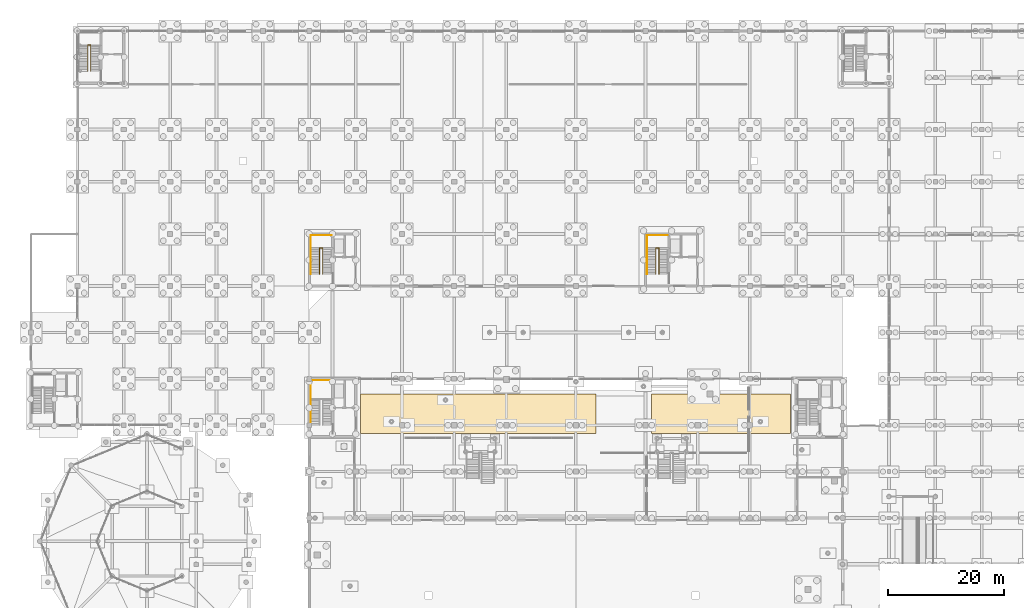
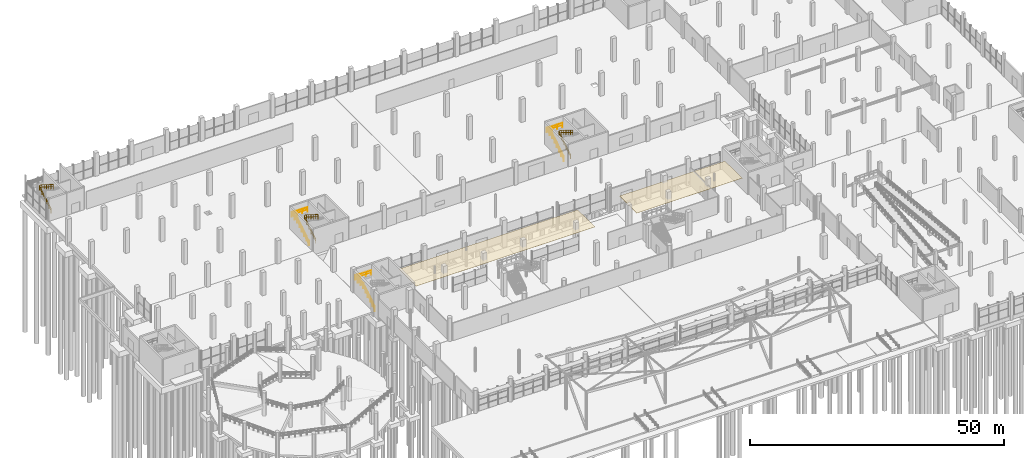
# One storey, part 92 of 98: 6 railings, 2 coverings.
"""IFC4 building model written with IfcOpenShell, lengths in metres."""

from ifc_helpers import new_model, si_unit, derived_unit, direction, frame, origin, origin_2d, place, context, subcontext, project, spatial, polyline, circle, outline, extrude, material, layer, layer_set, type_object, element, save


model = new_model("IFC4")

# Units and contexts
model_context = context("Model", 3, precision=1e-05, world=origin(), true_north=direction((0.0, 1.0)))
body_context = subcontext(model_context, "Body", "Model", "MODEL_VIEW")
ifc_project = project(units=[si_unit("LENGTHUNIT", "METRE"), si_unit("AREAUNIT", "SQUARE_METRE"), si_unit("VOLUMEUNIT", "CUBIC_METRE"), si_unit("PLANEANGLEUNIT", "RADIAN"), si_unit("MASSUNIT", "GRAM", prefix="KILO"), si_unit("THERMODYNAMICTEMPERATUREUNIT", "KELVIN"), derived_unit("THERMALTRANSMITTANCEUNIT", [(si_unit("POWERUNIT", "WATT"), 1), (si_unit("AREAUNIT", "SQUARE_METRE"), -1), (si_unit("THERMODYNAMICTEMPERATUREUNIT", "KELVIN"), -1)])], contexts=[model_context])

# Site, building, storey
site_placement = place(None, origin())
site = spatial("IfcSite", under=ifc_project, at=site_placement, CompositionType="ELEMENT")
building_placement = place(site_placement, origin())
building = spatial("IfcBuilding", under=site, at=building_placement, Name="Haiyu Intermodal Mobility Hub", CompositionType="ELEMENT")
storey_placement = place(building_placement, origin())
storey = spatial("IfcBuildingStorey", under=building, at=storey_placement, Name="L00", CompositionType="ELEMENT", Elevation=0.0)

# Coverings
ifc_material_1 = material(Name="Champagne perforated aluminium 6063-T6", Category="aluminium")
ifc_layer_1 = layer(ifc_material_1, 0.139892578125)
ifc_layer_set_1 = layer_set([ifc_layer_1], Name="Champagne perforated aluminium 6063-T6")
covering_type_1 = type_object("IfcCoveringType", Name="COV-CV01", PredefinedType="CLADDING", material=ifc_layer_set_1)
covering_1_placement = place(storey_placement, frame((0.0, 0.0, 3.800048828125)))
element("IfcCovering", 1, at=covering_1_placement, inside=storey, type_object=covering_type_1, Name="COV-CEIL-001", PredefinedType="CLADDING", context=body_context, shape_type="SweptSolid", body=[
    extrude(outline(polyline([(70.800048828125, 78.60009765625), (111.5, 78.60009765625), (111.5, 85.39990234375), (70.800048828125, 85.39990234375), (70.800048828125, 78.60009765625)])), origin(), (0.0, 0.0, 1.0), 0.044921875),
])
ifc_material_2 = material(Name="Acoustic perforated mineral and aluminium baffle", Category="aluminium")
ifc_layer_2 = layer(ifc_material_2, 0.0400390625)
ifc_layer_set_2 = layer_set([ifc_layer_2], Name="Acoustic perforated mineral and aluminium baffle")
covering_type_2 = type_object("IfcCoveringType", Name="COV-CV06", PredefinedType="CEILING", material=ifc_layer_set_2)
covering_2_placement = place(storey_placement, frame((0.0, 0.0, 3.800048828125)))
element("IfcCovering", 2, at=covering_2_placement, inside=storey, type_object=covering_type_2, Name="COV-CEIL-002", PredefinedType="CEILING", context=body_context, shape_type="SweptSolid", body=[
    extrude(outline(polyline([(121.0, 78.60009765625), (145.0, 78.60009765625), (145.0, 85.39990234375), (121.0, 85.39990234375), (121.0, 78.60009765625)])), origin(), (0.0, 0.0, 1.0), 0.044921875),
])

# Railings
ifc_material_3 = material(Name="Steel Q355C", Category="steel")
railing_type = type_object("IfcRailingType", Name="RAL-GR03", PredefinedType="GUARDRAIL", material=ifc_material_3)
railing_1_placement = place(storey_placement, frame((62.25, 80.050048828125, 0.0)))
element("IfcRailing", 3, at=railing_1_placement, inside=storey, type_object=railing_type, Name="Stair Outer Guard STR-C1-L00", PredefinedType="GUARDRAIL", context=body_context, shape_type="SweptSolid", body=[
    extrude(circle(Radius=0.02392578125, at=origin_2d()), frame((0.0, 0.025390625, 1.112060546875), z_axis=(0.0, 0.847993111587, 0.530007247782), x_axis=(-1.0, 0.0, 0.0)), (0.0, 0.0, 1.0), 5.22314453125),
    extrude(circle(Radius=0.02392578125, at=origin_2d()), frame((0.0, 0.03173828125, 0.579833984375), z_axis=(0.0, 0.847993111587, 0.530007247782), x_axis=(-1.0, 0.0, 0.0)), (0.0, 0.0, 1.0), 0.98193359375),
    extrude(circle(Radius=0.02392578125, at=origin_2d()), frame((0.0, 0.927734375, 1.139892578125), z_axis=(0.0, 0.847993111587, 0.530007247782), x_axis=(-1.0, 0.0, 0.0)), (0.0, 0.0, 1.0), 0.98193359375),
    extrude(circle(Radius=0.02392578125, at=origin_2d()), frame((0.0, 1.82373046875, 1.699951171875), z_axis=(0.0, 0.847993111587, 0.530007247782), x_axis=(-1.0, 0.0, 0.0)), (0.0, 0.0, 1.0), 0.98193359375),
    extrude(circle(Radius=0.02392578125, at=origin_2d()), frame((0.0, 2.7197265625, 2.259765625), z_axis=(0.0, 0.847993111587, 0.530007247782), x_axis=(-1.0, 0.0, 0.0)), (0.0, 0.0, 1.0), 0.98193359375),
    extrude(circle(Radius=0.02392578125, at=origin_2d()), frame((0.0, 3.61572265625, 2.81982421875), z_axis=(0.0, 0.847993111587, 0.530007247782), x_axis=(-1.0, 0.0, 0.0)), (0.0, 0.0, 1.0), 0.98193359375),
    extrude(circle(Radius=0.02392578125, at=origin_2d()), frame((0.0, 4.510009765625, 3.89599609375), z_axis=(0.0, 1.0, 0.0), x_axis=(-1.0, 0.0, 0.0)), (0.0, 0.0, 1.0), 3.169921875),
    extrude(circle(Radius=0.02392578125, at=origin_2d()), frame((0.0, 4.517333984375, 3.360107421875), z_axis=(0.0, 1.0, 0.0), x_axis=(-1.0, 0.0, 0.0)), (0.0, 0.0, 1.0), 1.001953125),
    extrude(circle(Radius=0.02392578125, at=origin_2d()), frame((0.0, 5.593994140625, 3.360107421875), z_axis=(0.0, 1.0, 0.0), x_axis=(-1.0, 0.0, 0.0)), (0.0, 0.0, 1.0), 1.001953125),
    extrude(circle(Radius=0.02392578125, at=origin_2d()), frame((0.0, 6.670654296875, 3.360107421875), z_axis=(0.0, 1.0, 0.0), x_axis=(-1.0, 0.0, 0.0)), (0.0, 0.0, 1.0), 1.001953125),
    extrude(circle(Radius=0.02392578125, at=origin_2d()), frame((0.030029296875, 7.7099609375, 3.89599609375), z_axis=(1.0, 0.0, 0.0), x_axis=(0.0, 1.0, 0.0)), (0.0, 0.0, 1.0), 3.52001953125),
    extrude(circle(Radius=0.02392578125, at=origin_2d()), frame((0.037353515625, 7.7099609375, 3.360107421875), z_axis=(1.0, 0.0, 0.0), x_axis=(0.0, 1.0, 0.0)), (0.0, 0.0, 1.0), 1.11865234375),
    extrude(circle(Radius=0.02392578125, at=origin_2d()), frame((1.230712890625, 7.7099609375, 3.360107421875), z_axis=(1.0, 0.0, 0.0), x_axis=(0.0, 1.0, 0.0)), (0.0, 0.0, 1.0), 1.11865234375),
    extrude(circle(Radius=0.02392578125, at=origin_2d()), frame((2.424072265625, 7.7099609375, 3.360107421875), z_axis=(1.0, 0.0, 0.0), x_axis=(0.0, 1.0, 0.0)), (0.0, 0.0, 1.0), 1.11865234375),
    extrude(circle(Radius=0.02099609375, at=origin_2d()), origin(), (0.0, 0.0, 1.0), 1.06396484375),
    extrude(circle(Radius=0.02099609375, at=origin_2d()), frame((0.0, 0.89599609375, 0.56005859375)), (0.0, 0.0, 1.0), 1.06396484375),
    extrude(circle(Radius=0.02099609375, at=origin_2d()), frame((0.0, 1.7919921875, 1.1201171875)), (0.0, 0.0, 1.0), 1.06396484375),
    extrude(circle(Radius=0.02099609375, at=origin_2d()), frame((0.0, 2.68798828125, 1.679931640625)), (0.0, 0.0, 1.0), 1.06396484375),
    extrude(circle(Radius=0.02099609375, at=origin_2d()), frame((0.0, 3.583984375, 2.239990234375)), (0.0, 0.0, 1.0), 1.06396484375),
    extrude(circle(Radius=0.02099609375, at=origin_2d()), frame((0.0, 4.47998046875, 2.800048828125)), (0.0, 0.0, 1.0), 1.06396484375),
    extrude(circle(Radius=0.02099609375, at=origin_2d()), frame((0.0, 5.556640625, 2.800048828125)), (0.0, 0.0, 1.0), 1.06396484375),
    extrude(circle(Radius=0.02099609375, at=origin_2d()), frame((0.0, 6.63330078125, 2.800048828125)), (0.0, 0.0, 1.0), 1.06396484375),
    extrude(circle(Radius=0.02099609375, at=origin_2d()), frame((0.0, 7.7099609375, 2.800048828125)), (0.0, 0.0, 1.0), 1.06396484375),
    extrude(circle(Radius=0.02099609375, at=origin_2d()), frame((1.193359375, 7.7099609375, 2.800048828125)), (0.0, 0.0, 1.0), 1.06396484375),
    extrude(circle(Radius=0.02099609375, at=origin_2d()), frame((2.38671875, 7.7099609375, 2.800048828125)), (0.0, 0.0, 1.0), 1.06396484375),
    extrude(circle(Radius=0.02099609375, at=origin_2d()), frame((3.580078125, 7.7099609375, 2.800048828125)), (0.0, 0.0, 1.0), 1.06396484375),
])
railing_2_placement = place(storey_placement, frame((23.780029296875, 141.050048828125, 0.0)))
element("IfcRailing", 4, at=railing_2_placement, inside=storey, type_object=railing_type, Name="Stair Well Guard STR-C3-L00", PredefinedType="GUARDRAIL", context=body_context, shape_type="SweptSolid", body=[
    extrude(circle(Radius=0.02392578125, at=origin_2d()), frame((0.0, 0.025634765625, 1.11181640625), z_axis=(0.0, 0.850622528264, 0.525776867511), x_axis=(-1.0, 0.0, 0.0)), (0.0, 0.0, 1.0), 5.265625),
    extrude(circle(Radius=0.02392578125, at=origin_2d()), frame((0.0, 0.03173828125, 0.57958984375), z_axis=(0.0, 0.850622528264, 0.525776867511), x_axis=(-1.0, 0.0, 0.0)), (0.0, 0.0, 1.0), 0.990478515625),
    extrude(circle(Radius=0.02392578125, at=origin_2d()), frame((0.0, 0.937744140625, 1.1396484375), z_axis=(0.0, 0.850622528264, 0.525776867511), x_axis=(-1.0, 0.0, 0.0)), (0.0, 0.0, 1.0), 0.990478515625),
    extrude(circle(Radius=0.02392578125, at=origin_2d()), frame((0.0, 1.84375, 1.69970703125), z_axis=(0.0, 0.850622528264, 0.525776867511), x_axis=(-1.0, 0.0, 0.0)), (0.0, 0.0, 1.0), 0.990478515625),
    extrude(circle(Radius=0.02392578125, at=origin_2d()), frame((0.0, 2.749755859375, 2.259765625), z_axis=(0.0, 0.850622528264, 0.525776867511), x_axis=(-1.0, 0.0, 0.0)), (0.0, 0.0, 1.0), 0.990478515625),
    extrude(circle(Radius=0.02392578125, at=origin_2d()), frame((0.0, 3.65576171875, 2.81982421875), z_axis=(0.0, 0.850622528264, 0.525776867511), x_axis=(-1.0, 0.0, 0.0)), (0.0, 0.0, 1.0), 0.990478515625),
    extrude(circle(Radius=0.02392578125, at=origin_2d()), frame((0.030029296875, 4.530029296875, 3.89599609375), z_axis=(1.0, 0.0, 0.0), x_axis=(0.0, 1.0, 0.0)), (0.0, 0.0, 1.0), 0.469970703125),
    extrude(circle(Radius=0.02392578125, at=origin_2d()), frame((0.037353515625, 4.530029296875, 3.360107421875), z_axis=(1.0, 0.0, 0.0), x_axis=(0.0, 1.0, 0.0)), (0.0, 0.0, 1.0), 0.455322265625),
    extrude(circle(Radius=0.02392578125, at=origin_2d()), frame((0.530029296875, 4.50439453125, 3.911865234375), z_axis=(0.0, -0.850622528264, 0.525776867511), x_axis=(1.0, 0.0, 0.0)), (0.0, 0.0, 1.0), 5.265625),
    extrude(circle(Radius=0.02392578125, at=origin_2d()), frame((0.530029296875, 4.498291015625, 3.379638671875), z_axis=(0.0, -0.850622528264, 0.525776867511), x_axis=(1.0, 0.0, 0.0)), (0.0, 0.0, 1.0), 0.990478515625),
    extrude(circle(Radius=0.02392578125, at=origin_2d()), frame((0.530029296875, 3.59228515625, 3.939697265625), z_axis=(0.0, -0.850622528264, 0.525776867511), x_axis=(1.0, 0.0, 0.0)), (0.0, 0.0, 1.0), 0.990478515625),
    extrude(circle(Radius=0.02392578125, at=origin_2d()), frame((0.530029296875, 2.686279296875, 4.499755859375), z_axis=(0.0, -0.850622528264, 0.525776867511), x_axis=(1.0, 0.0, 0.0)), (0.0, 0.0, 1.0), 0.990478515625),
    extrude(circle(Radius=0.02392578125, at=origin_2d()), frame((0.530029296875, 1.7802734375, 5.059814453125), z_axis=(0.0, -0.850622528264, 0.525776867511), x_axis=(1.0, 0.0, 0.0)), (0.0, 0.0, 1.0), 0.990478515625),
    extrude(circle(Radius=0.02392578125, at=origin_2d()), frame((0.530029296875, 0.874267578125, 5.619873046875), z_axis=(0.0, -0.850622528264, 0.525776867511), x_axis=(1.0, 0.0, 0.0)), (0.0, 0.0, 1.0), 0.990478515625),
    extrude(circle(Radius=0.02099609375, at=origin_2d()), origin(), (0.0, 0.0, 1.0), 1.06396484375),
    extrude(circle(Radius=0.02099609375, at=origin_2d()), frame((0.0, 0.906005859375, 0.56005859375)), (0.0, 0.0, 1.0), 1.06396484375),
    extrude(circle(Radius=0.02099609375, at=origin_2d()), frame((0.0, 1.81201171875, 1.1201171875)), (0.0, 0.0, 1.0), 1.06396484375),
    extrude(circle(Radius=0.02099609375, at=origin_2d()), frame((0.0, 2.718017578125, 1.679931640625)), (0.0, 0.0, 1.0), 1.06396484375),
    extrude(circle(Radius=0.02099609375, at=origin_2d()), frame((0.0, 3.6240234375, 2.239990234375)), (0.0, 0.0, 1.0), 1.06396484375),
    extrude(circle(Radius=0.02099609375, at=origin_2d()), frame((0.0, 4.530029296875, 2.800048828125)), (0.0, 0.0, 1.0), 1.06396484375),
    extrude(circle(Radius=0.02099609375, at=origin_2d()), frame((0.530029296875, 4.530029296875, 2.800048828125)), (0.0, 0.0, 1.0), 1.06396484375),
    extrude(circle(Radius=0.02099609375, at=origin_2d()), frame((0.530029296875, 3.6240234375, 3.360107421875)), (0.0, 0.0, 1.0), 1.06396484375),
    extrude(circle(Radius=0.02099609375, at=origin_2d()), frame((0.530029296875, 2.718017578125, 3.920166015625)), (0.0, 0.0, 1.0), 1.06396484375),
    extrude(circle(Radius=0.02099609375, at=origin_2d()), frame((0.530029296875, 1.81201171875, 4.47998046875)), (0.0, 0.0, 1.0), 1.06396484375),
    extrude(circle(Radius=0.02099609375, at=origin_2d()), frame((0.530029296875, 0.906005859375, 5.0400390625)), (0.0, 0.0, 1.0), 1.06396484375),
    extrude(circle(Radius=0.02099609375, at=origin_2d()), frame((0.530029296875, 0.0, 5.60009765625)), (0.0, 0.0, 1.0), 1.06396484375),
])
railing_3_placement = place(storey_placement, frame((63.780029296875, 106.050048828125, 0.0)))
element("IfcRailing", 5, at=railing_3_placement, inside=storey, type_object=railing_type, Name="Stair Well Guard STR-C5-L00", PredefinedType="GUARDRAIL", context=body_context, shape_type="SweptSolid", body=[
    extrude(circle(Radius=0.02392578125, at=origin_2d()), frame((0.0, 0.025634765625, 1.11181640625), z_axis=(0.0, 0.850622528264, 0.525776867511), x_axis=(-1.0, 0.0, 0.0)), (0.0, 0.0, 1.0), 5.265625),
    extrude(circle(Radius=0.02392578125, at=origin_2d()), frame((0.0, 0.03173828125, 0.57958984375), z_axis=(0.0, 0.850622528264, 0.525776867511), x_axis=(-1.0, 0.0, 0.0)), (0.0, 0.0, 1.0), 0.990478515625),
    extrude(circle(Radius=0.02392578125, at=origin_2d()), frame((0.0, 0.937744140625, 1.1396484375), z_axis=(0.0, 0.850622528264, 0.525776867511), x_axis=(-1.0, 0.0, 0.0)), (0.0, 0.0, 1.0), 0.990478515625),
    extrude(circle(Radius=0.02392578125, at=origin_2d()), frame((0.0, 1.84375, 1.69970703125), z_axis=(0.0, 0.850622528264, 0.525776867511), x_axis=(-1.0, 0.0, 0.0)), (0.0, 0.0, 1.0), 0.990478515625),
    extrude(circle(Radius=0.02392578125, at=origin_2d()), frame((0.0, 2.749755859375, 2.259765625), z_axis=(0.0, 0.850622528264, 0.525776867511), x_axis=(-1.0, 0.0, 0.0)), (0.0, 0.0, 1.0), 0.990478515625),
    extrude(circle(Radius=0.02392578125, at=origin_2d()), frame((0.0, 3.65576171875, 2.81982421875), z_axis=(0.0, 0.850622528264, 0.525776867511), x_axis=(-1.0, 0.0, 0.0)), (0.0, 0.0, 1.0), 0.990478515625),
    extrude(circle(Radius=0.02392578125, at=origin_2d()), frame((0.030029296875, 4.530029296875, 3.89599609375), z_axis=(1.0, 0.0, 0.0), x_axis=(0.0, 1.0, 0.0)), (0.0, 0.0, 1.0), 0.469970703125),
    extrude(circle(Radius=0.02392578125, at=origin_2d()), frame((0.037353515625, 4.530029296875, 3.360107421875), z_axis=(1.0, 0.0, 0.0), x_axis=(0.0, 1.0, 0.0)), (0.0, 0.0, 1.0), 0.455322265625),
    extrude(circle(Radius=0.02392578125, at=origin_2d()), frame((0.530029296875, 4.50439453125, 3.911865234375), z_axis=(0.0, -0.850622528264, 0.525776867511), x_axis=(1.0, 0.0, 0.0)), (0.0, 0.0, 1.0), 5.265625),
    extrude(circle(Radius=0.02392578125, at=origin_2d()), frame((0.530029296875, 4.498291015625, 3.379638671875), z_axis=(0.0, -0.850622528264, 0.525776867511), x_axis=(1.0, 0.0, 0.0)), (0.0, 0.0, 1.0), 0.990478515625),
    extrude(circle(Radius=0.02392578125, at=origin_2d()), frame((0.530029296875, 3.59228515625, 3.939697265625), z_axis=(0.0, -0.850622528264, 0.525776867511), x_axis=(1.0, 0.0, 0.0)), (0.0, 0.0, 1.0), 0.990478515625),
    extrude(circle(Radius=0.02392578125, at=origin_2d()), frame((0.530029296875, 2.686279296875, 4.499755859375), z_axis=(0.0, -0.850622528264, 0.525776867511), x_axis=(1.0, 0.0, 0.0)), (0.0, 0.0, 1.0), 0.990478515625),
    extrude(circle(Radius=0.02392578125, at=origin_2d()), frame((0.530029296875, 1.7802734375, 5.059814453125), z_axis=(0.0, -0.850622528264, 0.525776867511), x_axis=(1.0, 0.0, 0.0)), (0.0, 0.0, 1.0), 0.990478515625),
    extrude(circle(Radius=0.02392578125, at=origin_2d()), frame((0.530029296875, 0.874267578125, 5.619873046875), z_axis=(0.0, -0.850622528264, 0.525776867511), x_axis=(1.0, 0.0, 0.0)), (0.0, 0.0, 1.0), 0.990478515625),
    extrude(circle(Radius=0.02099609375, at=origin_2d()), origin(), (0.0, 0.0, 1.0), 1.06396484375),
    extrude(circle(Radius=0.02099609375, at=origin_2d()), frame((0.0, 0.906005859375, 0.56005859375)), (0.0, 0.0, 1.0), 1.06396484375),
    extrude(circle(Radius=0.02099609375, at=origin_2d()), frame((0.0, 1.81201171875, 1.1201171875)), (0.0, 0.0, 1.0), 1.06396484375),
    extrude(circle(Radius=0.02099609375, at=origin_2d()), frame((0.0, 2.718017578125, 1.679931640625)), (0.0, 0.0, 1.0), 1.06396484375),
    extrude(circle(Radius=0.02099609375, at=origin_2d()), frame((0.0, 3.6240234375, 2.239990234375)), (0.0, 0.0, 1.0), 1.06396484375),
    extrude(circle(Radius=0.02099609375, at=origin_2d()), frame((0.0, 4.530029296875, 2.800048828125)), (0.0, 0.0, 1.0), 1.06396484375),
    extrude(circle(Radius=0.02099609375, at=origin_2d()), frame((0.530029296875, 4.530029296875, 2.800048828125)), (0.0, 0.0, 1.0), 1.06396484375),
    extrude(circle(Radius=0.02099609375, at=origin_2d()), frame((0.530029296875, 3.6240234375, 3.360107421875)), (0.0, 0.0, 1.0), 1.06396484375),
    extrude(circle(Radius=0.02099609375, at=origin_2d()), frame((0.530029296875, 2.718017578125, 3.920166015625)), (0.0, 0.0, 1.0), 1.06396484375),
    extrude(circle(Radius=0.02099609375, at=origin_2d()), frame((0.530029296875, 1.81201171875, 4.47998046875)), (0.0, 0.0, 1.0), 1.06396484375),
    extrude(circle(Radius=0.02099609375, at=origin_2d()), frame((0.530029296875, 0.906005859375, 5.0400390625)), (0.0, 0.0, 1.0), 1.06396484375),
    extrude(circle(Radius=0.02099609375, at=origin_2d()), frame((0.530029296875, 0.0, 5.60009765625)), (0.0, 0.0, 1.0), 1.06396484375),
])
railing_4_placement = place(storey_placement, frame((62.25, 106.050048828125, 0.0)))
element("IfcRailing", 6, at=railing_4_placement, inside=storey, type_object=railing_type, Name="Stair Outer Guard STR-C5-L00", PredefinedType="GUARDRAIL", context=body_context, shape_type="SweptSolid", body=[
    extrude(circle(Radius=0.02392578125, at=origin_2d()), frame((0.0, 0.025390625, 1.112060546875), z_axis=(0.0, 0.847993111587, 0.530007247782), x_axis=(-1.0, 0.0, 0.0)), (0.0, 0.0, 1.0), 5.22314453125),
    extrude(circle(Radius=0.02392578125, at=origin_2d()), frame((0.0, 0.03173828125, 0.579833984375), z_axis=(0.0, 0.847993111587, 0.530007247782), x_axis=(-1.0, 0.0, 0.0)), (0.0, 0.0, 1.0), 0.98193359375),
    extrude(circle(Radius=0.02392578125, at=origin_2d()), frame((0.0, 0.927734375, 1.139892578125), z_axis=(0.0, 0.847993111587, 0.530007247782), x_axis=(-1.0, 0.0, 0.0)), (0.0, 0.0, 1.0), 0.98193359375),
    extrude(circle(Radius=0.02392578125, at=origin_2d()), frame((0.0, 1.82373046875, 1.699951171875), z_axis=(0.0, 0.847993111587, 0.530007247782), x_axis=(-1.0, 0.0, 0.0)), (0.0, 0.0, 1.0), 0.98193359375),
    extrude(circle(Radius=0.02392578125, at=origin_2d()), frame((0.0, 2.7197265625, 2.259765625), z_axis=(0.0, 0.847993111587, 0.530007247782), x_axis=(-1.0, 0.0, 0.0)), (0.0, 0.0, 1.0), 0.98193359375),
    extrude(circle(Radius=0.02392578125, at=origin_2d()), frame((0.0, 3.61572265625, 2.81982421875), z_axis=(0.0, 0.847993111587, 0.530007247782), x_axis=(-1.0, 0.0, 0.0)), (0.0, 0.0, 1.0), 0.98193359375),
    extrude(circle(Radius=0.02392578125, at=origin_2d()), frame((0.0, 4.510009765625, 3.89599609375), z_axis=(0.0, 1.0, 0.0), x_axis=(-1.0, 0.0, 0.0)), (0.0, 0.0, 1.0), 2.169921875),
    extrude(circle(Radius=0.02392578125, at=origin_2d()), frame((0.0, 4.517333984375, 3.360107421875), z_axis=(0.0, 1.0, 0.0), x_axis=(-1.0, 0.0, 0.0)), (0.0, 0.0, 1.0), 1.040283203125),
    extrude(circle(Radius=0.02392578125, at=origin_2d()), frame((0.0, 5.63232421875, 3.360107421875), z_axis=(0.0, 1.0, 0.0), x_axis=(-1.0, 0.0, 0.0)), (0.0, 0.0, 1.0), 1.040283203125),
    extrude(circle(Radius=0.02392578125, at=origin_2d()), frame((0.030029296875, 6.7099609375, 3.89599609375), z_axis=(1.0, 0.0, 0.0), x_axis=(0.0, 1.0, 0.0)), (0.0, 0.0, 1.0), 3.52001953125),
    extrude(circle(Radius=0.02392578125, at=origin_2d()), frame((0.037353515625, 6.7099609375, 3.360107421875), z_axis=(1.0, 0.0, 0.0), x_axis=(0.0, 1.0, 0.0)), (0.0, 0.0, 1.0), 1.11865234375),
    extrude(circle(Radius=0.02392578125, at=origin_2d()), frame((1.230712890625, 6.7099609375, 3.360107421875), z_axis=(1.0, 0.0, 0.0), x_axis=(0.0, 1.0, 0.0)), (0.0, 0.0, 1.0), 1.11865234375),
    extrude(circle(Radius=0.02392578125, at=origin_2d()), frame((2.424072265625, 6.7099609375, 3.360107421875), z_axis=(1.0, 0.0, 0.0), x_axis=(0.0, 1.0, 0.0)), (0.0, 0.0, 1.0), 1.11865234375),
    extrude(circle(Radius=0.02099609375, at=origin_2d()), origin(), (0.0, 0.0, 1.0), 1.06396484375),
    extrude(circle(Radius=0.02099609375, at=origin_2d()), frame((0.0, 0.89599609375, 0.56005859375)), (0.0, 0.0, 1.0), 1.06396484375),
    extrude(circle(Radius=0.02099609375, at=origin_2d()), frame((0.0, 1.7919921875, 1.1201171875)), (0.0, 0.0, 1.0), 1.06396484375),
    extrude(circle(Radius=0.02099609375, at=origin_2d()), frame((0.0, 2.68798828125, 1.679931640625)), (0.0, 0.0, 1.0), 1.06396484375),
    extrude(circle(Radius=0.02099609375, at=origin_2d()), frame((0.0, 3.583984375, 2.239990234375)), (0.0, 0.0, 1.0), 1.06396484375),
    extrude(circle(Radius=0.02099609375, at=origin_2d()), frame((0.0, 4.47998046875, 2.800048828125)), (0.0, 0.0, 1.0), 1.06396484375),
    extrude(circle(Radius=0.02099609375, at=origin_2d()), frame((0.0, 5.594970703125, 2.800048828125)), (0.0, 0.0, 1.0), 1.06396484375),
    extrude(circle(Radius=0.02099609375, at=origin_2d()), frame((0.0, 6.7099609375, 2.800048828125)), (0.0, 0.0, 1.0), 1.06396484375),
    extrude(circle(Radius=0.02099609375, at=origin_2d()), frame((1.193359375, 6.7099609375, 2.800048828125)), (0.0, 0.0, 1.0), 1.06396484375),
    extrude(circle(Radius=0.02099609375, at=origin_2d()), frame((2.38671875, 6.7099609375, 2.800048828125)), (0.0, 0.0, 1.0), 1.06396484375),
    extrude(circle(Radius=0.02099609375, at=origin_2d()), frame((3.580078125, 6.7099609375, 2.800048828125)), (0.0, 0.0, 1.0), 1.06396484375),
])
railing_5_placement = place(storey_placement, frame((121.780029296875, 106.050048828125, 0.0)))
element("IfcRailing", 7, at=railing_5_placement, inside=storey, type_object=railing_type, Name="Stair Well Guard STR-C6-L00", PredefinedType="GUARDRAIL", context=body_context, shape_type="SweptSolid", body=[
    extrude(circle(Radius=0.02392578125, at=origin_2d()), frame((0.0, 0.025634765625, 1.11181640625), z_axis=(0.0, 0.850622528264, 0.525776867511), x_axis=(-1.0, 0.0, 0.0)), (0.0, 0.0, 1.0), 5.265625),
    extrude(circle(Radius=0.02392578125, at=origin_2d()), frame((0.0, 0.03173828125, 0.57958984375), z_axis=(0.0, 0.850622528264, 0.525776867511), x_axis=(-1.0, 0.0, 0.0)), (0.0, 0.0, 1.0), 0.990478515625),
    extrude(circle(Radius=0.02392578125, at=origin_2d()), frame((0.0, 0.937744140625, 1.1396484375), z_axis=(0.0, 0.850622528264, 0.525776867511), x_axis=(-1.0, 0.0, 0.0)), (0.0, 0.0, 1.0), 0.990478515625),
    extrude(circle(Radius=0.02392578125, at=origin_2d()), frame((0.0, 1.84375, 1.69970703125), z_axis=(0.0, 0.850622528264, 0.525776867511), x_axis=(-1.0, 0.0, 0.0)), (0.0, 0.0, 1.0), 0.990478515625),
    extrude(circle(Radius=0.02392578125, at=origin_2d()), frame((0.0, 2.749755859375, 2.259765625), z_axis=(0.0, 0.850622528264, 0.525776867511), x_axis=(-1.0, 0.0, 0.0)), (0.0, 0.0, 1.0), 0.990478515625),
    extrude(circle(Radius=0.02392578125, at=origin_2d()), frame((0.0, 3.65576171875, 2.81982421875), z_axis=(0.0, 0.850622528264, 0.525776867511), x_axis=(-1.0, 0.0, 0.0)), (0.0, 0.0, 1.0), 0.990478515625),
    extrude(circle(Radius=0.02392578125, at=origin_2d()), frame((0.030029296875, 4.530029296875, 3.89599609375), z_axis=(1.0, 0.0, 0.0), x_axis=(0.0, 1.0, 0.0)), (0.0, 0.0, 1.0), 0.469970703125),
    extrude(circle(Radius=0.02392578125, at=origin_2d()), frame((0.037353515625, 4.530029296875, 3.360107421875), z_axis=(1.0, 0.0, 0.0), x_axis=(0.0, 1.0, 0.0)), (0.0, 0.0, 1.0), 0.455322265625),
    extrude(circle(Radius=0.02392578125, at=origin_2d()), frame((0.530029296875, 4.50439453125, 3.911865234375), z_axis=(0.0, -0.850622528264, 0.525776867511), x_axis=(1.0, 0.0, 0.0)), (0.0, 0.0, 1.0), 5.265625),
    extrude(circle(Radius=0.02392578125, at=origin_2d()), frame((0.530029296875, 4.498291015625, 3.379638671875), z_axis=(0.0, -0.850622528264, 0.525776867511), x_axis=(1.0, 0.0, 0.0)), (0.0, 0.0, 1.0), 0.990478515625),
    extrude(circle(Radius=0.02392578125, at=origin_2d()), frame((0.530029296875, 3.59228515625, 3.939697265625), z_axis=(0.0, -0.850622528264, 0.525776867511), x_axis=(1.0, 0.0, 0.0)), (0.0, 0.0, 1.0), 0.990478515625),
    extrude(circle(Radius=0.02392578125, at=origin_2d()), frame((0.530029296875, 2.686279296875, 4.499755859375), z_axis=(0.0, -0.850622528264, 0.525776867511), x_axis=(1.0, 0.0, 0.0)), (0.0, 0.0, 1.0), 0.990478515625),
    extrude(circle(Radius=0.02392578125, at=origin_2d()), frame((0.530029296875, 1.7802734375, 5.059814453125), z_axis=(0.0, -0.850622528264, 0.525776867511), x_axis=(1.0, 0.0, 0.0)), (0.0, 0.0, 1.0), 0.990478515625),
    extrude(circle(Radius=0.02392578125, at=origin_2d()), frame((0.530029296875, 0.874267578125, 5.619873046875), z_axis=(0.0, -0.850622528264, 0.525776867511), x_axis=(1.0, 0.0, 0.0)), (0.0, 0.0, 1.0), 0.990478515625),
    extrude(circle(Radius=0.02099609375, at=origin_2d()), origin(), (0.0, 0.0, 1.0), 1.06396484375),
    extrude(circle(Radius=0.02099609375, at=origin_2d()), frame((0.0, 0.906005859375, 0.56005859375)), (0.0, 0.0, 1.0), 1.06396484375),
    extrude(circle(Radius=0.02099609375, at=origin_2d()), frame((0.0, 1.81201171875, 1.1201171875)), (0.0, 0.0, 1.0), 1.06396484375),
    extrude(circle(Radius=0.02099609375, at=origin_2d()), frame((0.0, 2.718017578125, 1.679931640625)), (0.0, 0.0, 1.0), 1.06396484375),
    extrude(circle(Radius=0.02099609375, at=origin_2d()), frame((0.0, 3.6240234375, 2.239990234375)), (0.0, 0.0, 1.0), 1.06396484375),
    extrude(circle(Radius=0.02099609375, at=origin_2d()), frame((0.0, 4.530029296875, 2.800048828125)), (0.0, 0.0, 1.0), 1.06396484375),
    extrude(circle(Radius=0.02099609375, at=origin_2d()), frame((0.530029296875, 4.530029296875, 2.800048828125)), (0.0, 0.0, 1.0), 1.06396484375),
    extrude(circle(Radius=0.02099609375, at=origin_2d()), frame((0.530029296875, 3.6240234375, 3.360107421875)), (0.0, 0.0, 1.0), 1.06396484375),
    extrude(circle(Radius=0.02099609375, at=origin_2d()), frame((0.530029296875, 2.718017578125, 3.920166015625)), (0.0, 0.0, 1.0), 1.06396484375),
    extrude(circle(Radius=0.02099609375, at=origin_2d()), frame((0.530029296875, 1.81201171875, 4.47998046875)), (0.0, 0.0, 1.0), 1.06396484375),
    extrude(circle(Radius=0.02099609375, at=origin_2d()), frame((0.530029296875, 0.906005859375, 5.0400390625)), (0.0, 0.0, 1.0), 1.06396484375),
    extrude(circle(Radius=0.02099609375, at=origin_2d()), frame((0.530029296875, 0.0, 5.60009765625)), (0.0, 0.0, 1.0), 1.06396484375),
])
railing_6_placement = place(storey_placement, frame((120.25, 106.050048828125, 0.0)))
element("IfcRailing", 8, at=railing_6_placement, inside=storey, type_object=railing_type, Name="Stair Outer Guard STR-C6-L00", PredefinedType="GUARDRAIL", context=body_context, shape_type="SweptSolid", body=[
    extrude(circle(Radius=0.02392578125, at=origin_2d()), frame((0.0, 0.025390625, 1.112060546875), z_axis=(0.0, 0.847993111587, 0.530007247782), x_axis=(-1.0, 0.0, 0.0)), (0.0, 0.0, 1.0), 5.22314453125),
    extrude(circle(Radius=0.02392578125, at=origin_2d()), frame((0.0, 0.03173828125, 0.579833984375), z_axis=(0.0, 0.847993111587, 0.530007247782), x_axis=(-1.0, 0.0, 0.0)), (0.0, 0.0, 1.0), 0.98193359375),
    extrude(circle(Radius=0.02392578125, at=origin_2d()), frame((0.0, 0.927734375, 1.139892578125), z_axis=(0.0, 0.847993111587, 0.530007247782), x_axis=(-1.0, 0.0, 0.0)), (0.0, 0.0, 1.0), 0.98193359375),
    extrude(circle(Radius=0.02392578125, at=origin_2d()), frame((0.0, 1.82373046875, 1.699951171875), z_axis=(0.0, 0.847993111587, 0.530007247782), x_axis=(-1.0, 0.0, 0.0)), (0.0, 0.0, 1.0), 0.98193359375),
    extrude(circle(Radius=0.02392578125, at=origin_2d()), frame((0.0, 2.7197265625, 2.259765625), z_axis=(0.0, 0.847993111587, 0.530007247782), x_axis=(-1.0, 0.0, 0.0)), (0.0, 0.0, 1.0), 0.98193359375),
    extrude(circle(Radius=0.02392578125, at=origin_2d()), frame((0.0, 3.61572265625, 2.81982421875), z_axis=(0.0, 0.847993111587, 0.530007247782), x_axis=(-1.0, 0.0, 0.0)), (0.0, 0.0, 1.0), 0.98193359375),
    extrude(circle(Radius=0.02392578125, at=origin_2d()), frame((0.0, 4.510009765625, 3.89599609375), z_axis=(0.0, 1.0, 0.0), x_axis=(-1.0, 0.0, 0.0)), (0.0, 0.0, 1.0), 2.169921875),
    extrude(circle(Radius=0.02392578125, at=origin_2d()), frame((0.0, 4.517333984375, 3.360107421875), z_axis=(0.0, 1.0, 0.0), x_axis=(-1.0, 0.0, 0.0)), (0.0, 0.0, 1.0), 1.040283203125),
    extrude(circle(Radius=0.02392578125, at=origin_2d()), frame((0.0, 5.63232421875, 3.360107421875), z_axis=(0.0, 1.0, 0.0), x_axis=(-1.0, 0.0, 0.0)), (0.0, 0.0, 1.0), 1.040283203125),
    extrude(circle(Radius=0.02392578125, at=origin_2d()), frame((0.030029296875, 6.7099609375, 3.89599609375), z_axis=(1.0, 0.0, 0.0), x_axis=(0.0, 1.0, 0.0)), (0.0, 0.0, 1.0), 3.52001953125),
    extrude(circle(Radius=0.02392578125, at=origin_2d()), frame((0.037353515625, 6.7099609375, 3.360107421875), z_axis=(1.0, 0.0, 0.0), x_axis=(0.0, 1.0, 0.0)), (0.0, 0.0, 1.0), 1.11865234375),
    extrude(circle(Radius=0.02392578125, at=origin_2d()), frame((1.230712890625, 6.7099609375, 3.360107421875), z_axis=(1.0, 0.0, 0.0), x_axis=(0.0, 1.0, 0.0)), (0.0, 0.0, 1.0), 1.11865234375),
    extrude(circle(Radius=0.02392578125, at=origin_2d()), frame((2.424072265625, 6.7099609375, 3.360107421875), z_axis=(1.0, 0.0, 0.0), x_axis=(0.0, 1.0, 0.0)), (0.0, 0.0, 1.0), 1.11865234375),
    extrude(circle(Radius=0.02099609375, at=origin_2d()), origin(), (0.0, 0.0, 1.0), 1.06396484375),
    extrude(circle(Radius=0.02099609375, at=origin_2d()), frame((0.0, 0.89599609375, 0.56005859375)), (0.0, 0.0, 1.0), 1.06396484375),
    extrude(circle(Radius=0.02099609375, at=origin_2d()), frame((0.0, 1.7919921875, 1.1201171875)), (0.0, 0.0, 1.0), 1.06396484375),
    extrude(circle(Radius=0.02099609375, at=origin_2d()), frame((0.0, 2.68798828125, 1.679931640625)), (0.0, 0.0, 1.0), 1.06396484375),
    extrude(circle(Radius=0.02099609375, at=origin_2d()), frame((0.0, 3.583984375, 2.239990234375)), (0.0, 0.0, 1.0), 1.06396484375),
    extrude(circle(Radius=0.02099609375, at=origin_2d()), frame((0.0, 4.47998046875, 2.800048828125)), (0.0, 0.0, 1.0), 1.06396484375),
    extrude(circle(Radius=0.02099609375, at=origin_2d()), frame((0.0, 5.594970703125, 2.800048828125)), (0.0, 0.0, 1.0), 1.06396484375),
    extrude(circle(Radius=0.02099609375, at=origin_2d()), frame((0.0, 6.7099609375, 2.800048828125)), (0.0, 0.0, 1.0), 1.06396484375),
    extrude(circle(Radius=0.02099609375, at=origin_2d()), frame((1.193359375, 6.7099609375, 2.800048828125)), (0.0, 0.0, 1.0), 1.06396484375),
    extrude(circle(Radius=0.02099609375, at=origin_2d()), frame((2.38671875, 6.7099609375, 2.800048828125)), (0.0, 0.0, 1.0), 1.06396484375),
    extrude(circle(Radius=0.02099609375, at=origin_2d()), frame((3.580078125, 6.7099609375, 2.800048828125)), (0.0, 0.0, 1.0), 1.06396484375),
])

save(model, "model.ifc")
